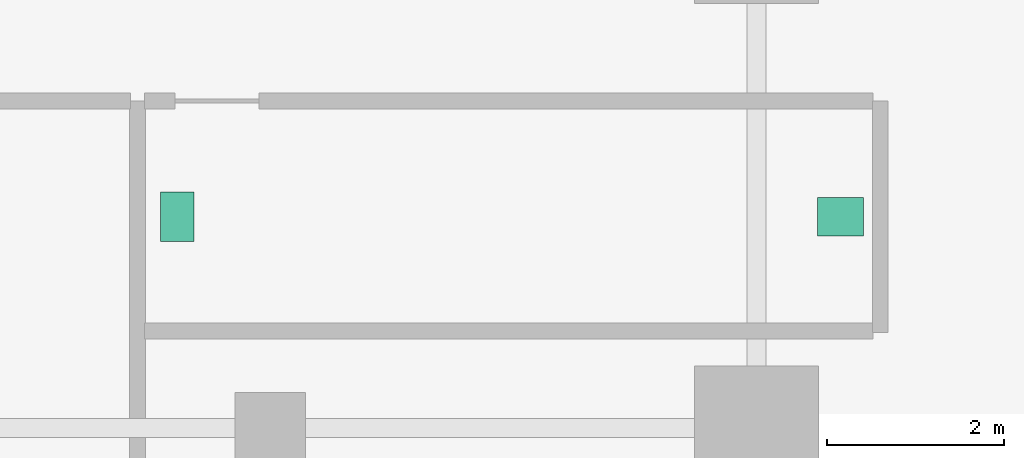
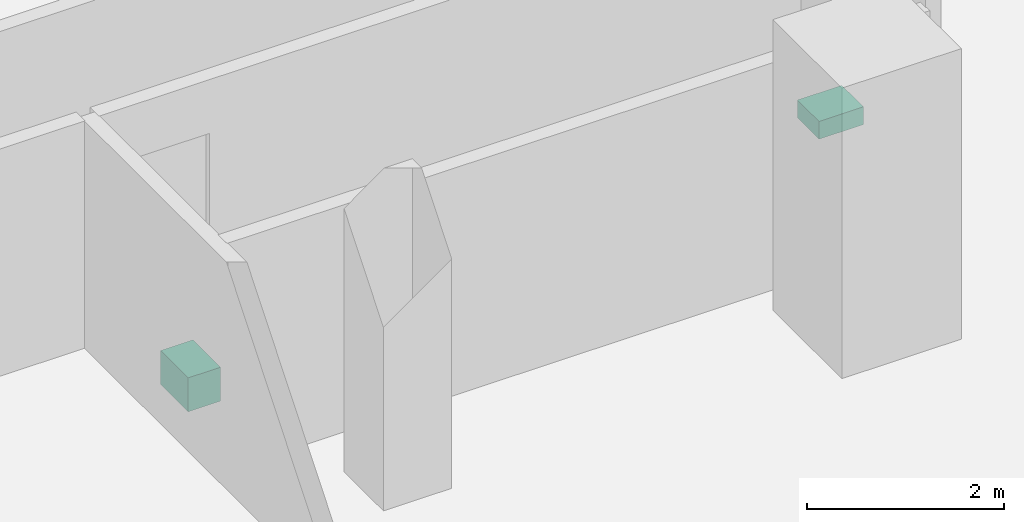
# One storey, part 26 of 26: 2 sanitary terminals.
"""IFC4 building model written with IfcOpenShell, lengths in metres."""

from ifc_helpers import new_model, si_unit, direction, frame, origin, origin_2d, place, context, subcontext, project, spatial, rectangle, extrude, material, type_object, element, save


model = new_model("IFC4")

# Units and contexts
model_context = context("Model", 3, precision=1e-05, world=origin(), true_north=direction((0.0, 1.0)))
body_context = subcontext(model_context, "Body", "Model", "MODEL_VIEW")
ifc_project = project(units=[si_unit("LENGTHUNIT", "METRE"), si_unit("AREAUNIT", "SQUARE_METRE"), si_unit("VOLUMEUNIT", "CUBIC_METRE"), si_unit("PLANEANGLEUNIT", "RADIAN"), si_unit("MASSUNIT", "GRAM", prefix="KILO")], contexts=[model_context])

# Site, building, storey
site_placement = place(None, origin())
site = spatial("IfcSite", under=ifc_project, at=site_placement, CompositionType="ELEMENT")
building_placement = place(site_placement, origin())
building = spatial("IfcBuilding", under=site, at=building_placement, Name="Barlavira Tower and Art Museum", CompositionType="ELEMENT")
storey_placement = place(building_placement, frame((0.0, 0.0, 82.800048828125)))
storey = spatial("IfcBuildingStorey", under=building, at=storey_placement, Name="L20", CompositionType="ELEMENT", Elevation=82.800048828125)

# Sanitary terminals
ifc_material = material(Name="Vitreous glazed ceramic", Category="ceramic")
sanitary_terminal_type_1 = type_object("IfcSanitaryTerminalType", Name="Countertop Ceramic Wash Hand Basin", PredefinedType="WASHHANDBASIN", material=ifc_material)
sanitary_terminal_1_placement = place(storey_placement, frame((17.949951171875, -10.610107421875, 0.73974609375), z_axis=(0.0, 0.0, 1.0), x_axis=(1.0, 0.0, 0.0)))
element("IfcSanitaryTerminal", 1, at=sanitary_terminal_1_placement, inside=storey, type_object=sanitary_terminal_type_1, Name="L20-S-SWC Wash Basin", PredefinedType="WASHHANDBASIN", context=body_context, shape_type="SweptSolid", body=[
    extrude(rectangle(XDim=0.52001953125, YDim=0.43994140625, at=origin_2d()), origin(), (0.0, 0.0, 1.0), 0.219970703125),
])
sanitary_terminal_type_2 = type_object("IfcSanitaryTerminalType", Name="Wall-Hung Dual-Flush Vitreous WC Pan", PredefinedType="TOILETPAN", material=ifc_material)
sanitary_terminal_2_placement = place(storey_placement, frame((10.449951171875, -10.610107421875, 0.0), z_axis=(0.0, 0.0, 1.0), x_axis=(1.0, 0.0, 0.0)))
element("IfcSanitaryTerminal", 2, at=sanitary_terminal_2_placement, inside=storey, type_object=sanitary_terminal_type_2, Name="L20-S-SWC WC Pan", PredefinedType="TOILETPAN", context=body_context, shape_type="SweptSolid", body=[
    extrude(rectangle(XDim=0.3798828125, YDim=0.56005859375, at=origin_2d()), origin(), (0.0, 0.0, 1.0), 0.419921875),
])

save(model, "model.ifc")
